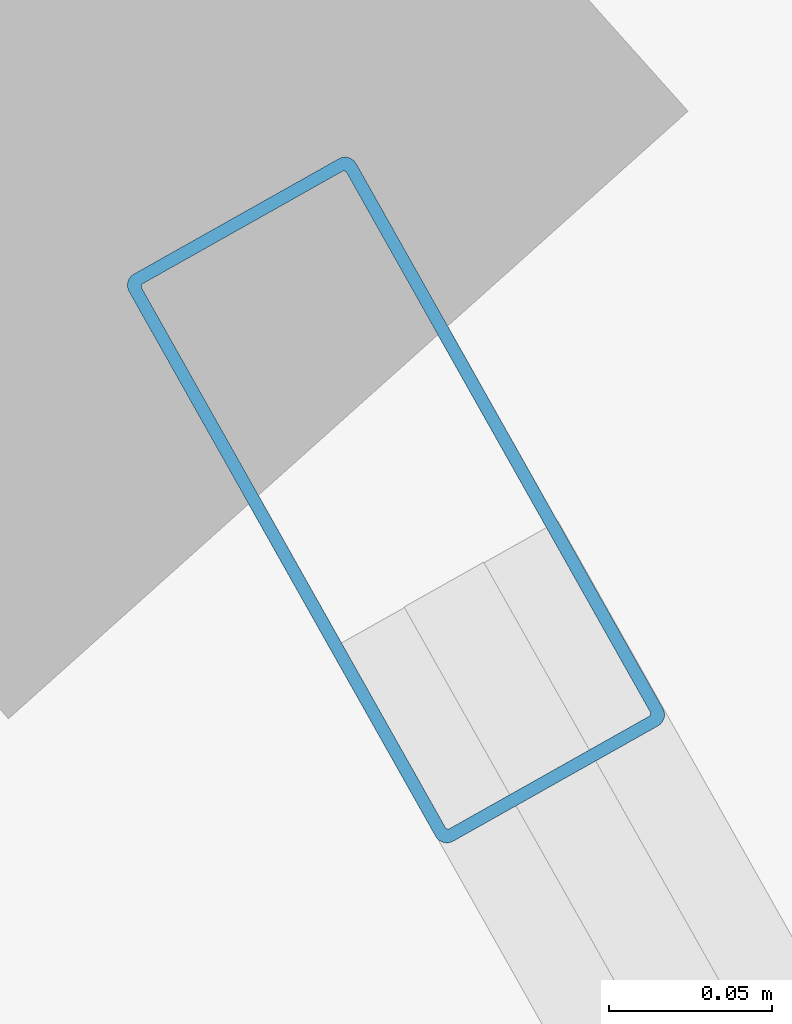
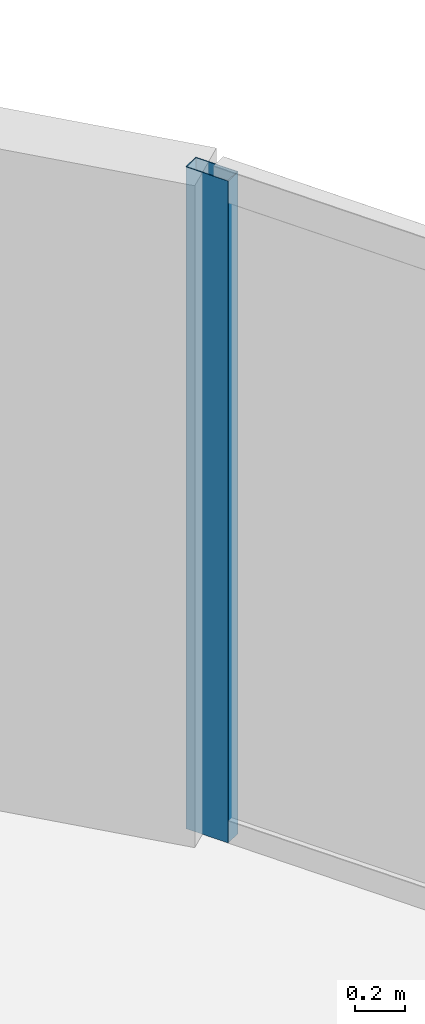
# One storey, part 15 of 22: 1 member, 1 element without a shape of its own.
"""IFC4 building model written with IfcOpenShell, lengths in metres."""

from ifc_helpers import new_model, si_unit, direction, frame, origin, origin_2d, place, context, subcontext, project, spatial, hollow_rectangle, extrude, material, layer, layer_set, material_profile, profile_set, type_object, element, aggregate, save


model = new_model("IFC4")

# Units and contexts
model_context = context("Model", 3, precision=1e-05, world=origin(), true_north=direction((0.0, 1.0)))
body_context = subcontext(model_context, "Body", "Model", "MODEL_VIEW")
ifc_project = project(units=[si_unit("LENGTHUNIT", "METRE"), si_unit("AREAUNIT", "SQUARE_METRE"), si_unit("VOLUMEUNIT", "CUBIC_METRE"), si_unit("PLANEANGLEUNIT", "RADIAN"), si_unit("MASSUNIT", "GRAM", prefix="KILO")], contexts=[model_context])

# Site, building, storey
site_placement = place(None, origin())
site = spatial("IfcSite", under=ifc_project, at=site_placement, CompositionType="ELEMENT")
building_placement = place(site_placement, origin())
building = spatial("IfcBuilding", under=site, at=building_placement, Name="Bramvorn Convention Spire", CompositionType="ELEMENT")
storey_placement = place(building_placement, frame((0.0, 0.0, 137.800048828125)))
storey = spatial("IfcBuildingStorey", under=building, at=storey_placement, Name="L34", CompositionType="ELEMENT", Elevation=137.800048828125)

# Curtain wall, member
ifc_material_1 = material(Name="Anodised Bronze Unitised Curtain Wall", Category="aluminium")
ifc_layer = layer(ifc_material_1, 0.179931640625)
ifc_layer_set = layer_set([ifc_layer], Name="Anodised Bronze Unitised Curtain Wall - CW-HTL-FRIT")
curtain_wall_type = type_object("IfcCurtainWallType", Name="CW-HTL-FRIT", PredefinedType="USERDEFINED", material=ifc_layer_set)
curtain_wall_placement = place(storey_placement, origin())
curtain_wall = element("IfcCurtainWall", 1, at=curtain_wall_placement, inside=storey, type_object=curtain_wall_type, Name="L34 fritted glass curtain wall 04", ObjectType="UNITISED CURTAIN WALL", PredefinedType="USERDEFINED")
ifc_material_2 = material(Name="Anodised Bronze Aluminium 6063-T6", Category="aluminium")
ifc_material_profile = material_profile(ifc_material_2, hollow_rectangle(XDim=0.080078125, YDim=0.199951171875, WallThickness=0.00390625, InnerFilletRadius=0.0009765625, OuterFilletRadius=0.00390625, at=origin_2d()))
ifc_profile_set = profile_set([ifc_material_profile], Name="Anodised Bronze Aluminium 6063-T6 - CWM80X200")
member_type = type_object("IfcMemberType", Name="CW-MUL-180", PredefinedType="MULLION", material=ifc_profile_set)
member_placement = place(storey_placement, frame((60.634521484375, 35.880126953125, 0.0), z_axis=(0.0, 0.0, 1.0), x_axis=(0.871434494175, 0.490511898288, 0.0)))
member = element("IfcMember", 2, at=member_placement, type_object=member_type, Name="CW2 mullion 1", PredefinedType="MULLION", context=body_context, shape_type="SweptSolid", body=[
    extrude(hollow_rectangle(XDim=0.080078125, YDim=0.199951171875, WallThickness=0.00390625, InnerFilletRadius=0.0009765625, OuterFilletRadius=0.00390625, at=origin_2d()), origin(), (0.0, 0.0, 1.0), 3.260009765625),
])
aggregate(curtain_wall, [member])

save(model, "model.ifc")
